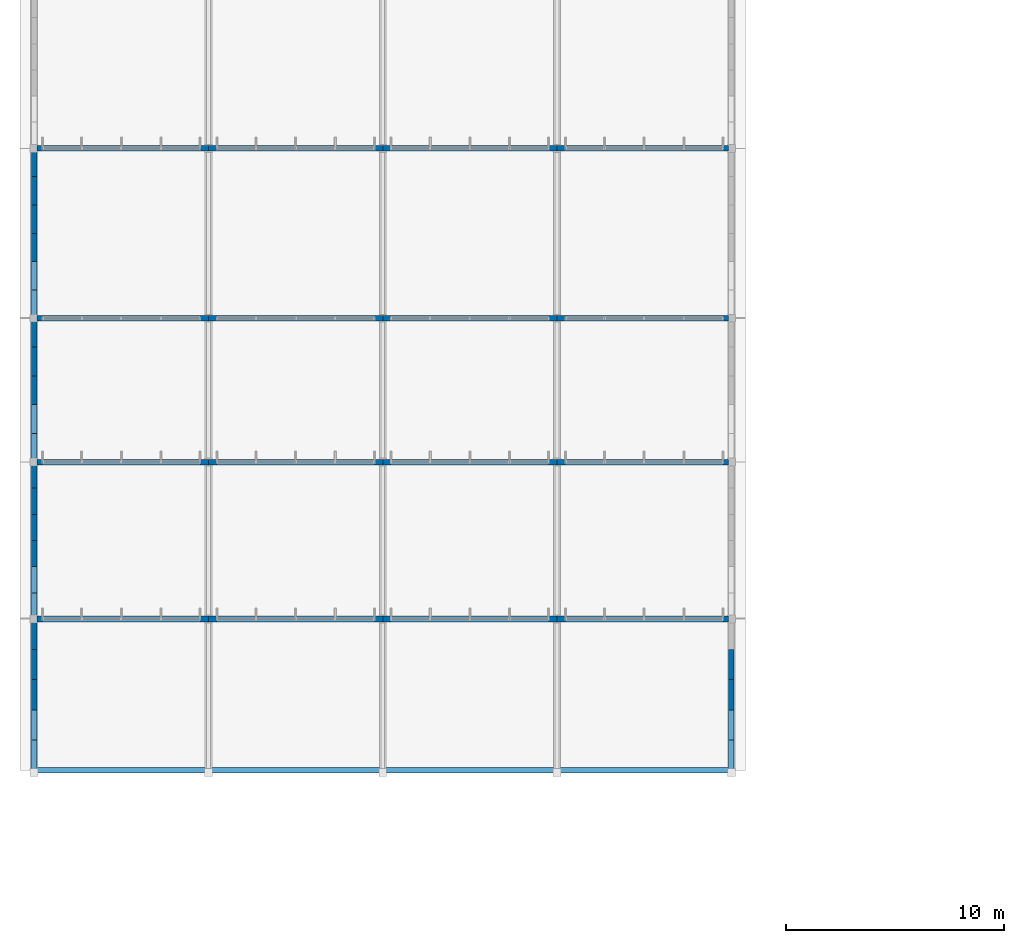
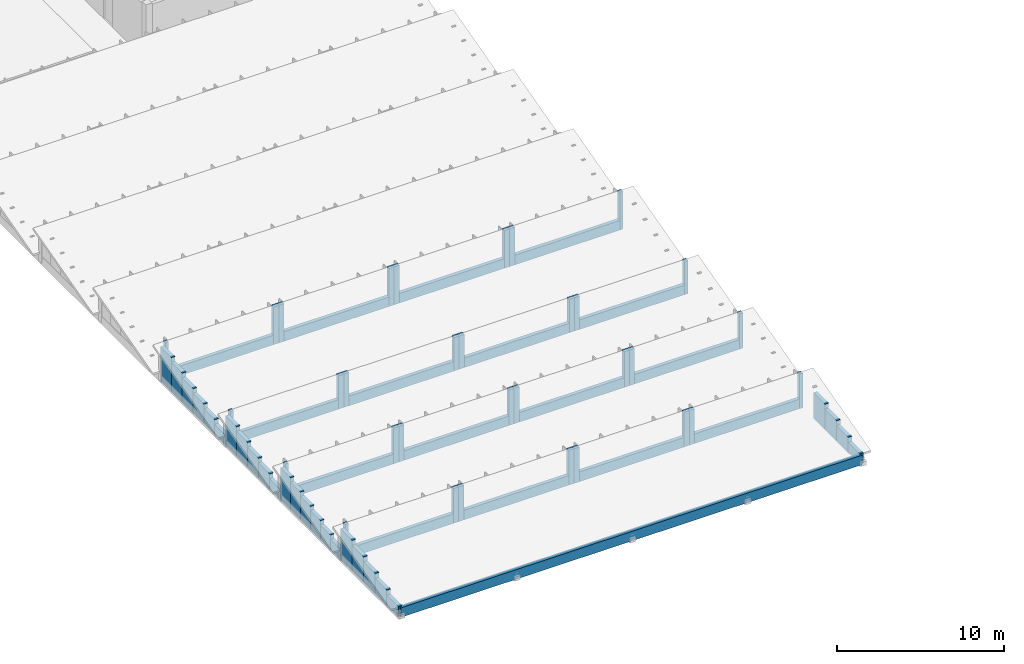
# One storey, part 80 of 94: 75 walls.
"""IFC4 building model written with IfcOpenShell, lengths in metres."""

from ifc_helpers import new_model, si_unit, direction, frame, frame_2d, origin, place, context, subcontext, project, spatial, rectangle, extrude, material, layer, layer_set, type_object, element, save


model = new_model("IFC4")

# Units and contexts
model_context = context("Model", 3, precision=1e-05, world=origin(), true_north=direction((0.0, 1.0)))
body_context = subcontext(model_context, "Body", "Model", "MODEL_VIEW")
ifc_project = project(units=[si_unit("LENGTHUNIT", "METRE"), si_unit("AREAUNIT", "SQUARE_METRE"), si_unit("VOLUMEUNIT", "CUBIC_METRE"), si_unit("PLANEANGLEUNIT", "RADIAN"), si_unit("MASSUNIT", "GRAM", prefix="KILO")], contexts=[model_context])

# Site, building, storey
site_placement = place(None, origin())
site = spatial("IfcSite", under=ifc_project, at=site_placement, CompositionType="ELEMENT")
building_placement = place(site_placement, origin())
building = spatial("IfcBuilding", under=site, at=building_placement, Name="Chiffa Square Polytechnic", CompositionType="ELEMENT")
storey_placement = place(building_placement, frame((0.0, 0.0, 18.0)))
storey = spatial("IfcBuildingStorey", under=building, at=storey_placement, Name="L04", CompositionType="ELEMENT", Elevation=18.0)

# Walls
ifc_material = material(Name="Precast concrete C40/50", Category="concrete")
ifc_layer = layer(ifc_material, 0.260009765625, Name="Precast concrete C40/50")
ifc_layer_set = layer_set([ifc_layer], Name="Precast concrete C40/50")
wall_type = type_object("IfcWallType", Name="WL-EXT-PC260", PredefinedType="SOLIDWALL", material=ifc_layer_set)
wall_1_placement = place(storey_placement, frame((0.0, 36.85009765625, 0.0), z_axis=(0.0, 0.0, 1.0), x_axis=(1.0, 0.0, 0.0)))
element("IfcWall", 1, at=wall_1_placement, inside=storey, type_object=wall_type, Name="Studio sawtooth south eave spandrel WE-V6-SAW-EAVES", PredefinedType="SOLIDWALL", context=body_context, shape_type="SweptSolid", body=[
    extrude(rectangle(XDim=32.0, YDim=0.260009765625, at=frame_2d((16.0, 0.0))), origin(), (0.0, 0.0, 1.0), 0.699951171875),
])
wall_2_placement = place(storey_placement, frame((8.0, 43.800048828125, 0.0), z_axis=(0.0, 0.0, 1.0), x_axis=(-1.0, 0.0, 0.0)))
element("IfcWall", 2, at=wall_2_placement, inside=storey, type_object=wall_type, Name="Sawtooth monitor pier WE-V6-SAW1-P1L", PredefinedType="SOLIDWALL", context=body_context, shape_type="SweptSolid", body=[
    extrude(rectangle(XDim=0.360107421875, YDim=0.260009765625, at=frame_2d((0.18017578125, 0.0))), origin(), (0.0, 0.0, 1.0), 2.5419921875),
])
wall_3_placement = place(storey_placement, frame((0.360107421875, 43.800048828125, 0.0), z_axis=(0.0, 0.0, 1.0), x_axis=(-1.0, 0.0, 0.0)))
element("IfcWall", 3, at=wall_3_placement, inside=storey, type_object=wall_type, Name="Sawtooth monitor pier WE-V6-SAW1-P1R", PredefinedType="SOLIDWALL", context=body_context, shape_type="SweptSolid", body=[
    extrude(rectangle(XDim=0.22802734375, YDim=0.260009765625, at=frame_2d((0.114013671875, 0.0))), origin(), (0.0, 0.0, 1.0), 2.5419921875),
])
wall_4_placement = place(storey_placement, frame((0.360107421875, 43.800048828125, 0.0), z_axis=(0.0, 0.0, 1.0), x_axis=(1.0, 0.0, 0.0)))
element("IfcWall", 4, at=wall_4_placement, inside=storey, type_object=wall_type, Name="Sawtooth valley spandrel WE-V6-SAW1-SP1", PredefinedType="SOLIDWALL", context=body_context, shape_type="SweptSolid", body=[
    extrude(rectangle(XDim=7.27978515625, YDim=0.260009765625, at=frame_2d((3.639892578125, 0.0))), origin(), (0.0, 0.0, 1.0), 0.699951171875),
])
for number, where, z_axis, x_axis, name in (
    (5, (16.0, 43.800048828125, 0.0), (0.0, 0.0, 1.0), (-1.0, 0.0, 0.0), "Sawtooth monitor pier WE-V6-SAW1-P2L"),
    (6, (8.360107421875, 43.800048828125, 0.0), (0.0, 0.0, 1.0), (-1.0, 0.0, 0.0), "Sawtooth monitor pier WE-V6-SAW1-P2R"),
):
    element("IfcWall", number, at=place(storey_placement, frame(where, z_axis=z_axis, x_axis=x_axis)), inside=storey, type_object=wall_type, Name=name, PredefinedType="SOLIDWALL", context=body_context, shape_type="SweptSolid", body=[
        extrude(rectangle(XDim=0.360107421875, YDim=0.260009765625, at=frame_2d((0.18017578125, 0.0))), origin(), (0.0, 0.0, 1.0), 2.5419921875),
    ])
wall_5_placement = place(storey_placement, frame((8.360107421875, 43.800048828125, 0.0), z_axis=(0.0, 0.0, 1.0), x_axis=(1.0, 0.0, 0.0)))
element("IfcWall", 7, at=wall_5_placement, inside=storey, type_object=wall_type, Name="Sawtooth valley spandrel WE-V6-SAW1-SP2", PredefinedType="SOLIDWALL", context=body_context, shape_type="SweptSolid", body=[
    extrude(rectangle(XDim=7.27978515625, YDim=0.260009765625, at=frame_2d((3.639892578125, 0.0))), origin(), (0.0, 0.0, 1.0), 0.699951171875),
])
for number, where, z_axis, x_axis, name in (
    (8, (24.0, 43.800048828125, 0.0), (0.0, 0.0, 1.0), (-1.0, 0.0, 0.0), "Sawtooth monitor pier WE-V6-SAW1-P3L"),
    (9, (16.360107421875, 43.800048828125, 0.0), (0.0, 0.0, 1.0), (-1.0, 0.0, 0.0), "Sawtooth monitor pier WE-V6-SAW1-P3R"),
):
    element("IfcWall", number, at=place(storey_placement, frame(where, z_axis=z_axis, x_axis=x_axis)), inside=storey, type_object=wall_type, Name=name, PredefinedType="SOLIDWALL", context=body_context, shape_type="SweptSolid", body=[
        extrude(rectangle(XDim=0.360107421875, YDim=0.260009765625, at=frame_2d((0.18017578125, 0.0))), origin(), (0.0, 0.0, 1.0), 2.5419921875),
    ])
wall_6_placement = place(storey_placement, frame((16.360107421875, 43.800048828125, 0.0), z_axis=(0.0, 0.0, 1.0), x_axis=(1.0, 0.0, 0.0)))
element("IfcWall", 10, at=wall_6_placement, inside=storey, type_object=wall_type, Name="Sawtooth valley spandrel WE-V6-SAW1-SP3", PredefinedType="SOLIDWALL", context=body_context, shape_type="SweptSolid", body=[
    extrude(rectangle(XDim=7.27978515625, YDim=0.260009765625, at=frame_2d((3.639892578125, 0.0))), origin(), (0.0, 0.0, 1.0), 0.699951171875),
])
wall_7_placement = place(storey_placement, frame((31.867919921875, 43.800048828125, 0.0), z_axis=(0.0, 0.0, 1.0), x_axis=(-1.0, 0.0, 0.0)))
element("IfcWall", 11, at=wall_7_placement, inside=storey, type_object=wall_type, Name="Sawtooth monitor pier WE-V6-SAW1-P4L", PredefinedType="SOLIDWALL", context=body_context, shape_type="SweptSolid", body=[
    extrude(rectangle(XDim=0.22802734375, YDim=0.260009765625, at=frame_2d((0.114013671875, 0.0))), origin(), (0.0, 0.0, 1.0), 2.5419921875),
])
wall_8_placement = place(storey_placement, frame((24.360107421875, 43.800048828125, 0.0), z_axis=(0.0, 0.0, 1.0), x_axis=(-1.0, 0.0, 0.0)))
element("IfcWall", 12, at=wall_8_placement, inside=storey, type_object=wall_type, Name="Sawtooth monitor pier WE-V6-SAW1-P4R", PredefinedType="SOLIDWALL", context=body_context, shape_type="SweptSolid", body=[
    extrude(rectangle(XDim=0.360107421875, YDim=0.260009765625, at=frame_2d((0.18017578125, 0.0))), origin(), (0.0, 0.0, 1.0), 2.5419921875),
])
wall_9_placement = place(storey_placement, frame((24.360107421875, 43.800048828125, 0.0), z_axis=(0.0, 0.0, 1.0), x_axis=(1.0, 0.0, 0.0)))
element("IfcWall", 13, at=wall_9_placement, inside=storey, type_object=wall_type, Name="Sawtooth valley spandrel WE-V6-SAW1-SP4", PredefinedType="SOLIDWALL", context=body_context, shape_type="SweptSolid", body=[
    extrude(rectangle(XDim=7.27978515625, YDim=0.260009765625, at=frame_2d((3.639892578125, 0.0))), origin(), (0.0, 0.0, 1.0), 0.699951171875),
])
wall_10_placement = place(storey_placement, frame((0.0, 36.85009765625, 0.0), z_axis=(0.0, 0.0, 1.0), x_axis=(0.0, 1.0, 0.0)))
element("IfcWall", 14, at=wall_10_placement, inside=storey, type_object=wall_type, Name="Stepped gable infill wall WE-V6-SAWW-01-01", PredefinedType="SOLIDWALL", context=body_context, shape_type="SweptSolid", body=[
    extrude(rectangle(XDim=1.389892578125, YDim=0.260009765625, at=frame_2d((0.69482421875, 0.0))), origin(), (0.0, 0.0, 1.0), 0.756103515625),
])
wall_11_placement = place(storey_placement, frame((0.0, 38.239990234375, 0.0), z_axis=(0.0, 0.0, 1.0), x_axis=(0.0, 1.0, 0.0)))
element("IfcWall", 15, at=wall_11_placement, inside=storey, type_object=wall_type, Name="Stepped gable infill wall WE-V6-SAWW-01-02", PredefinedType="SOLIDWALL", context=body_context, shape_type="SweptSolid", body=[
    extrude(rectangle(XDim=1.389892578125, YDim=0.260009765625, at=frame_2d((0.69482421875, 0.0))), origin(), (0.0, 0.0, 1.0), 1.1279296875),
])
wall_12_placement = place(storey_placement, frame((0.0, 39.6298828125, 0.0), z_axis=(0.0, 0.0, 1.0), x_axis=(0.0, 1.0, 0.0)))
element("IfcWall", 16, at=wall_12_placement, inside=storey, type_object=wall_type, Name="Stepped gable infill wall WE-V6-SAWW-01-03", PredefinedType="SOLIDWALL", context=body_context, shape_type="SweptSolid", body=[
    extrude(rectangle(XDim=1.39013671875, YDim=0.260009765625, at=frame_2d((0.695068359375, 0.0))), origin(), (0.0, 0.0, 1.0), 1.5009765625),
])
wall_13_placement = place(storey_placement, frame((0.0, 41.02001953125, 0.0), z_axis=(0.0, 0.0, 1.0), x_axis=(0.0, 1.0, 0.0)))
element("IfcWall", 17, at=wall_13_placement, inside=storey, type_object=wall_type, Name="Stepped gable infill wall WE-V6-SAWW-01-04", PredefinedType="SOLIDWALL", context=body_context, shape_type="SweptSolid", body=[
    extrude(rectangle(XDim=1.389892578125, YDim=0.260009765625, at=frame_2d((0.69482421875, 0.0))), origin(), (0.0, 0.0, 1.0), 1.873046875),
])
wall_14_placement = place(storey_placement, frame((0.0, 42.409912109375, 0.0), z_axis=(0.0, 0.0, 1.0), x_axis=(0.0, 1.0, 0.0)))
element("IfcWall", 18, at=wall_14_placement, inside=storey, type_object=wall_type, Name="Stepped gable infill wall WE-V6-SAWW-01-05", PredefinedType="SOLIDWALL", context=body_context, shape_type="SweptSolid", body=[
    extrude(rectangle(XDim=1.39013671875, YDim=0.260009765625, at=frame_2d((0.695068359375, 0.0))), origin(), (0.0, 0.0, 1.0), 2.2451171875),
])
wall_15_placement = place(storey_placement, frame((32.0, 36.85009765625, 0.0), z_axis=(0.0, 0.0, 1.0), x_axis=(0.0, 1.0, 0.0)))
element("IfcWall", 19, at=wall_15_placement, inside=storey, type_object=wall_type, Name="Stepped gable infill wall WE-V6-SAWE-01-01", PredefinedType="SOLIDWALL", context=body_context, shape_type="SweptSolid", body=[
    extrude(rectangle(XDim=1.389892578125, YDim=0.260009765625, at=frame_2d((0.69482421875, 0.0))), origin(), (0.0, 0.0, 1.0), 0.756103515625),
])
wall_16_placement = place(storey_placement, frame((32.0, 38.239990234375, 0.0), z_axis=(0.0, 0.0, 1.0), x_axis=(0.0, 1.0, 0.0)))
element("IfcWall", 20, at=wall_16_placement, inside=storey, type_object=wall_type, Name="Stepped gable infill wall WE-V6-SAWE-01-02", PredefinedType="SOLIDWALL", context=body_context, shape_type="SweptSolid", body=[
    extrude(rectangle(XDim=1.389892578125, YDim=0.260009765625, at=frame_2d((0.69482421875, 0.0))), origin(), (0.0, 0.0, 1.0), 1.1279296875),
])
wall_17_placement = place(storey_placement, frame((32.0, 39.6298828125, 0.0), z_axis=(0.0, 0.0, 1.0), x_axis=(0.0, 1.0, 0.0)))
element("IfcWall", 21, at=wall_17_placement, inside=storey, type_object=wall_type, Name="Stepped gable infill wall WE-V6-SAWE-01-03", PredefinedType="SOLIDWALL", context=body_context, shape_type="SweptSolid", body=[
    extrude(rectangle(XDim=1.39013671875, YDim=0.260009765625, at=frame_2d((0.695068359375, 0.0))), origin(), (0.0, 0.0, 1.0), 1.5009765625),
])
wall_18_placement = place(storey_placement, frame((32.0, 41.02001953125, 0.0), z_axis=(0.0, 0.0, 1.0), x_axis=(0.0, 1.0, 0.0)))
element("IfcWall", 22, at=wall_18_placement, inside=storey, type_object=wall_type, Name="Stepped gable infill wall WE-V6-SAWE-01-04", PredefinedType="SOLIDWALL", context=body_context, shape_type="SweptSolid", body=[
    extrude(rectangle(XDim=1.389892578125, YDim=0.260009765625, at=frame_2d((0.69482421875, 0.0))), origin(), (0.0, 0.0, 1.0), 1.873046875),
])
wall_19_placement = place(storey_placement, frame((8.0, 51.0, 0.0), z_axis=(0.0, 0.0, 1.0), x_axis=(-1.0, 0.0, 0.0)))
element("IfcWall", 23, at=wall_19_placement, inside=storey, type_object=wall_type, Name="Sawtooth monitor pier WE-V6-SAW2-P1L", PredefinedType="SOLIDWALL", context=body_context, shape_type="SweptSolid", body=[
    extrude(rectangle(XDim=0.360107421875, YDim=0.260009765625, at=frame_2d((0.18017578125, 0.0))), origin(), (0.0, 0.0, 1.0), 2.60888671875),
])
wall_20_placement = place(storey_placement, frame((0.360107421875, 51.0, 0.0), z_axis=(0.0, 0.0, 1.0), x_axis=(-1.0, 0.0, 0.0)))
element("IfcWall", 24, at=wall_20_placement, inside=storey, type_object=wall_type, Name="Sawtooth monitor pier WE-V6-SAW2-P1R", PredefinedType="SOLIDWALL", context=body_context, shape_type="SweptSolid", body=[
    extrude(rectangle(XDim=0.22802734375, YDim=0.260009765625, at=frame_2d((0.114013671875, 0.0))), origin(), (0.0, 0.0, 1.0), 2.60888671875),
])
wall_21_placement = place(storey_placement, frame((0.360107421875, 51.0, 0.0), z_axis=(0.0, 0.0, 1.0), x_axis=(1.0, 0.0, 0.0)))
element("IfcWall", 25, at=wall_21_placement, inside=storey, type_object=wall_type, Name="Sawtooth valley spandrel WE-V6-SAW2-SP1", PredefinedType="SOLIDWALL", context=body_context, shape_type="SweptSolid", body=[
    extrude(rectangle(XDim=7.27978515625, YDim=0.260009765625, at=frame_2d((3.639892578125, 0.0))), origin(), (0.0, 0.0, 1.0), 0.699951171875),
])
for number, where, z_axis, x_axis, name in (
    (26, (16.0, 51.0, 0.0), (0.0, 0.0, 1.0), (-1.0, 0.0, 0.0), "Sawtooth monitor pier WE-V6-SAW2-P2L"),
    (27, (8.360107421875, 51.0, 0.0), (0.0, 0.0, 1.0), (-1.0, 0.0, 0.0), "Sawtooth monitor pier WE-V6-SAW2-P2R"),
):
    element("IfcWall", number, at=place(storey_placement, frame(where, z_axis=z_axis, x_axis=x_axis)), inside=storey, type_object=wall_type, Name=name, PredefinedType="SOLIDWALL", context=body_context, shape_type="SweptSolid", body=[
        extrude(rectangle(XDim=0.360107421875, YDim=0.260009765625, at=frame_2d((0.18017578125, 0.0))), origin(), (0.0, 0.0, 1.0), 2.60888671875),
    ])
wall_22_placement = place(storey_placement, frame((8.360107421875, 51.0, 0.0), z_axis=(0.0, 0.0, 1.0), x_axis=(1.0, 0.0, 0.0)))
element("IfcWall", 28, at=wall_22_placement, inside=storey, type_object=wall_type, Name="Sawtooth valley spandrel WE-V6-SAW2-SP2", PredefinedType="SOLIDWALL", context=body_context, shape_type="SweptSolid", body=[
    extrude(rectangle(XDim=7.27978515625, YDim=0.260009765625, at=frame_2d((3.639892578125, 0.0))), origin(), (0.0, 0.0, 1.0), 0.699951171875),
])
for number, where, z_axis, x_axis, name in (
    (29, (24.0, 51.0, 0.0), (0.0, 0.0, 1.0), (-1.0, 0.0, 0.0), "Sawtooth monitor pier WE-V6-SAW2-P3L"),
    (30, (16.360107421875, 51.0, 0.0), (0.0, 0.0, 1.0), (-1.0, 0.0, 0.0), "Sawtooth monitor pier WE-V6-SAW2-P3R"),
):
    element("IfcWall", number, at=place(storey_placement, frame(where, z_axis=z_axis, x_axis=x_axis)), inside=storey, type_object=wall_type, Name=name, PredefinedType="SOLIDWALL", context=body_context, shape_type="SweptSolid", body=[
        extrude(rectangle(XDim=0.360107421875, YDim=0.260009765625, at=frame_2d((0.18017578125, 0.0))), origin(), (0.0, 0.0, 1.0), 2.60888671875),
    ])
wall_23_placement = place(storey_placement, frame((16.360107421875, 51.0, 0.0), z_axis=(0.0, 0.0, 1.0), x_axis=(1.0, 0.0, 0.0)))
element("IfcWall", 31, at=wall_23_placement, inside=storey, type_object=wall_type, Name="Sawtooth valley spandrel WE-V6-SAW2-SP3", PredefinedType="SOLIDWALL", context=body_context, shape_type="SweptSolid", body=[
    extrude(rectangle(XDim=7.27978515625, YDim=0.260009765625, at=frame_2d((3.639892578125, 0.0))), origin(), (0.0, 0.0, 1.0), 0.699951171875),
])
wall_24_placement = place(storey_placement, frame((31.867919921875, 51.0, 0.0), z_axis=(0.0, 0.0, 1.0), x_axis=(-1.0, 0.0, 0.0)))
element("IfcWall", 32, at=wall_24_placement, inside=storey, type_object=wall_type, Name="Sawtooth monitor pier WE-V6-SAW2-P4L", PredefinedType="SOLIDWALL", context=body_context, shape_type="SweptSolid", body=[
    extrude(rectangle(XDim=0.22802734375, YDim=0.260009765625, at=frame_2d((0.114013671875, 0.0))), origin(), (0.0, 0.0, 1.0), 2.60888671875),
])
wall_25_placement = place(storey_placement, frame((24.360107421875, 51.0, 0.0), z_axis=(0.0, 0.0, 1.0), x_axis=(-1.0, 0.0, 0.0)))
element("IfcWall", 33, at=wall_25_placement, inside=storey, type_object=wall_type, Name="Sawtooth monitor pier WE-V6-SAW2-P4R", PredefinedType="SOLIDWALL", context=body_context, shape_type="SweptSolid", body=[
    extrude(rectangle(XDim=0.360107421875, YDim=0.260009765625, at=frame_2d((0.18017578125, 0.0))), origin(), (0.0, 0.0, 1.0), 2.60888671875),
])
wall_26_placement = place(storey_placement, frame((24.360107421875, 51.0, 0.0), z_axis=(0.0, 0.0, 1.0), x_axis=(1.0, 0.0, 0.0)))
element("IfcWall", 34, at=wall_26_placement, inside=storey, type_object=wall_type, Name="Sawtooth valley spandrel WE-V6-SAW2-SP4", PredefinedType="SOLIDWALL", context=body_context, shape_type="SweptSolid", body=[
    extrude(rectangle(XDim=7.27978515625, YDim=0.260009765625, at=frame_2d((3.639892578125, 0.0))), origin(), (0.0, 0.0, 1.0), 0.699951171875),
])
wall_27_placement = place(storey_placement, frame((0.0, 43.800048828125, 0.0), z_axis=(0.0, 0.0, 1.0), x_axis=(0.0, 1.0, 0.0)))
element("IfcWall", 35, at=wall_27_placement, inside=storey, type_object=wall_type, Name="Stepped gable infill wall WE-V6-SAWW-02-01", PredefinedType="SOLIDWALL", context=body_context, shape_type="SweptSolid", body=[
    extrude(rectangle(XDim=1.199951171875, YDim=0.260009765625, at=frame_2d((0.60009765625, 0.0))), origin(), (0.0, 0.0, 1.0), 0.748046875),
])
wall_28_placement = place(storey_placement, frame((0.0, 45.0, 0.0), z_axis=(0.0, 0.0, 1.0), x_axis=(0.0, 1.0, 0.0)))
element("IfcWall", 36, at=wall_28_placement, inside=storey, type_object=wall_type, Name="Stepped gable infill wall WE-V6-SAWW-02-02", PredefinedType="SOLIDWALL", context=body_context, shape_type="SweptSolid", body=[
    extrude(rectangle(XDim=1.199951171875, YDim=0.260009765625, at=frame_2d((0.60009765625, 0.0))), origin(), (0.0, 0.0, 1.0), 1.070068359375),
])
wall_29_placement = place(storey_placement, frame((0.0, 46.199951171875, 0.0), z_axis=(0.0, 0.0, 1.0), x_axis=(0.0, 1.0, 0.0)))
element("IfcWall", 37, at=wall_29_placement, inside=storey, type_object=wall_type, Name="Stepped gable infill wall WE-V6-SAWW-02-03", PredefinedType="SOLIDWALL", context=body_context, shape_type="SweptSolid", body=[
    extrude(rectangle(XDim=1.199951171875, YDim=0.260009765625, at=frame_2d((0.60009765625, 0.0))), origin(), (0.0, 0.0, 1.0), 1.39111328125),
])
wall_30_placement = place(storey_placement, frame((0.0, 47.39990234375, 0.0), z_axis=(0.0, 0.0, 1.0), x_axis=(0.0, 1.0, 0.0)))
element("IfcWall", 38, at=wall_30_placement, inside=storey, type_object=wall_type, Name="Stepped gable infill wall WE-V6-SAWW-02-04", PredefinedType="SOLIDWALL", context=body_context, shape_type="SweptSolid", body=[
    extrude(rectangle(XDim=1.2001953125, YDim=0.260009765625, at=frame_2d((0.60009765625, 0.0))), origin(), (0.0, 0.0, 1.0), 1.712890625),
])
wall_31_placement = place(storey_placement, frame((0.0, 48.60009765625, 0.0), z_axis=(0.0, 0.0, 1.0), x_axis=(0.0, 1.0, 0.0)))
element("IfcWall", 39, at=wall_31_placement, inside=storey, type_object=wall_type, Name="Stepped gable infill wall WE-V6-SAWW-02-05", PredefinedType="SOLIDWALL", context=body_context, shape_type="SweptSolid", body=[
    extrude(rectangle(XDim=1.199951171875, YDim=0.260009765625, at=frame_2d((0.60009765625, 0.0))), origin(), (0.0, 0.0, 1.0), 2.033935546875),
])
wall_32_placement = place(storey_placement, frame((0.0, 49.800048828125, 0.0), z_axis=(0.0, 0.0, 1.0), x_axis=(0.0, 1.0, 0.0)))
element("IfcWall", 40, at=wall_32_placement, inside=storey, type_object=wall_type, Name="Stepped gable infill wall WE-V6-SAWW-02-06", PredefinedType="SOLIDWALL", context=body_context, shape_type="SweptSolid", body=[
    extrude(rectangle(XDim=1.199951171875, YDim=0.260009765625, at=frame_2d((0.60009765625, 0.0))), origin(), (0.0, 0.0, 1.0), 2.35595703125),
])
wall_33_placement = place(storey_placement, frame((8.0, 57.60009765625, 0.0), z_axis=(0.0, 0.0, 1.0), x_axis=(-1.0, 0.0, 0.0)))
element("IfcWall", 41, at=wall_33_placement, inside=storey, type_object=wall_type, Name="Sawtooth monitor pier WE-V6-SAW3-P1L", PredefinedType="SOLIDWALL", context=body_context, shape_type="SweptSolid", body=[
    extrude(rectangle(XDim=0.360107421875, YDim=0.260009765625, at=frame_2d((0.18017578125, 0.0))), origin(), (0.0, 0.0, 1.0), 2.447998046875),
])
wall_34_placement = place(storey_placement, frame((0.360107421875, 57.60009765625, 0.0), z_axis=(0.0, 0.0, 1.0), x_axis=(-1.0, 0.0, 0.0)))
element("IfcWall", 42, at=wall_34_placement, inside=storey, type_object=wall_type, Name="Sawtooth monitor pier WE-V6-SAW3-P1R", PredefinedType="SOLIDWALL", context=body_context, shape_type="SweptSolid", body=[
    extrude(rectangle(XDim=0.22802734375, YDim=0.260009765625, at=frame_2d((0.114013671875, 0.0))), origin(), (0.0, 0.0, 1.0), 2.447998046875),
])
wall_35_placement = place(storey_placement, frame((0.360107421875, 57.60009765625, 0.0), z_axis=(0.0, 0.0, 1.0), x_axis=(1.0, 0.0, 0.0)))
element("IfcWall", 43, at=wall_35_placement, inside=storey, type_object=wall_type, Name="Sawtooth valley spandrel WE-V6-SAW3-SP1", PredefinedType="SOLIDWALL", context=body_context, shape_type="SweptSolid", body=[
    extrude(rectangle(XDim=7.27978515625, YDim=0.260009765625, at=frame_2d((3.639892578125, 0.0))), origin(), (0.0, 0.0, 1.0), 0.699951171875),
])
for number, where, z_axis, x_axis, name in (
    (44, (16.0, 57.60009765625, 0.0), (0.0, 0.0, 1.0), (-1.0, 0.0, 0.0), "Sawtooth monitor pier WE-V6-SAW3-P2L"),
    (45, (8.360107421875, 57.60009765625, 0.0), (0.0, 0.0, 1.0), (-1.0, 0.0, 0.0), "Sawtooth monitor pier WE-V6-SAW3-P2R"),
):
    element("IfcWall", number, at=place(storey_placement, frame(where, z_axis=z_axis, x_axis=x_axis)), inside=storey, type_object=wall_type, Name=name, PredefinedType="SOLIDWALL", context=body_context, shape_type="SweptSolid", body=[
        extrude(rectangle(XDim=0.360107421875, YDim=0.260009765625, at=frame_2d((0.18017578125, 0.0))), origin(), (0.0, 0.0, 1.0), 2.447998046875),
    ])
wall_36_placement = place(storey_placement, frame((8.360107421875, 57.60009765625, 0.0), z_axis=(0.0, 0.0, 1.0), x_axis=(1.0, 0.0, 0.0)))
element("IfcWall", 46, at=wall_36_placement, inside=storey, type_object=wall_type, Name="Sawtooth valley spandrel WE-V6-SAW3-SP2", PredefinedType="SOLIDWALL", context=body_context, shape_type="SweptSolid", body=[
    extrude(rectangle(XDim=7.27978515625, YDim=0.260009765625, at=frame_2d((3.639892578125, 0.0))), origin(), (0.0, 0.0, 1.0), 0.699951171875),
])
for number, where, z_axis, x_axis, name in (
    (47, (24.0, 57.60009765625, 0.0), (0.0, 0.0, 1.0), (-1.0, 0.0, 0.0), "Sawtooth monitor pier WE-V6-SAW3-P3L"),
    (48, (16.360107421875, 57.60009765625, 0.0), (0.0, 0.0, 1.0), (-1.0, 0.0, 0.0), "Sawtooth monitor pier WE-V6-SAW3-P3R"),
):
    element("IfcWall", number, at=place(storey_placement, frame(where, z_axis=z_axis, x_axis=x_axis)), inside=storey, type_object=wall_type, Name=name, PredefinedType="SOLIDWALL", context=body_context, shape_type="SweptSolid", body=[
        extrude(rectangle(XDim=0.360107421875, YDim=0.260009765625, at=frame_2d((0.18017578125, 0.0))), origin(), (0.0, 0.0, 1.0), 2.447998046875),
    ])
wall_37_placement = place(storey_placement, frame((16.360107421875, 57.60009765625, 0.0), z_axis=(0.0, 0.0, 1.0), x_axis=(1.0, 0.0, 0.0)))
element("IfcWall", 49, at=wall_37_placement, inside=storey, type_object=wall_type, Name="Sawtooth valley spandrel WE-V6-SAW3-SP3", PredefinedType="SOLIDWALL", context=body_context, shape_type="SweptSolid", body=[
    extrude(rectangle(XDim=7.27978515625, YDim=0.260009765625, at=frame_2d((3.639892578125, 0.0))), origin(), (0.0, 0.0, 1.0), 0.699951171875),
])
wall_38_placement = place(storey_placement, frame((31.867919921875, 57.60009765625, 0.0), z_axis=(0.0, 0.0, 1.0), x_axis=(-1.0, 0.0, 0.0)))
element("IfcWall", 50, at=wall_38_placement, inside=storey, type_object=wall_type, Name="Sawtooth monitor pier WE-V6-SAW3-P4L", PredefinedType="SOLIDWALL", context=body_context, shape_type="SweptSolid", body=[
    extrude(rectangle(XDim=0.22802734375, YDim=0.260009765625, at=frame_2d((0.114013671875, 0.0))), origin(), (0.0, 0.0, 1.0), 2.447998046875),
])
wall_39_placement = place(storey_placement, frame((24.360107421875, 57.60009765625, 0.0), z_axis=(0.0, 0.0, 1.0), x_axis=(-1.0, 0.0, 0.0)))
element("IfcWall", 51, at=wall_39_placement, inside=storey, type_object=wall_type, Name="Sawtooth monitor pier WE-V6-SAW3-P4R", PredefinedType="SOLIDWALL", context=body_context, shape_type="SweptSolid", body=[
    extrude(rectangle(XDim=0.360107421875, YDim=0.260009765625, at=frame_2d((0.18017578125, 0.0))), origin(), (0.0, 0.0, 1.0), 2.447998046875),
])
wall_40_placement = place(storey_placement, frame((24.360107421875, 57.60009765625, 0.0), z_axis=(0.0, 0.0, 1.0), x_axis=(1.0, 0.0, 0.0)))
element("IfcWall", 52, at=wall_40_placement, inside=storey, type_object=wall_type, Name="Sawtooth valley spandrel WE-V6-SAW3-SP4", PredefinedType="SOLIDWALL", context=body_context, shape_type="SweptSolid", body=[
    extrude(rectangle(XDim=7.27978515625, YDim=0.260009765625, at=frame_2d((3.639892578125, 0.0))), origin(), (0.0, 0.0, 1.0), 0.699951171875),
])
wall_41_placement = place(storey_placement, frame((0.0, 51.0, 0.0), z_axis=(0.0, 0.0, 1.0), x_axis=(0.0, 1.0, 0.0)))
element("IfcWall", 53, at=wall_41_placement, inside=storey, type_object=wall_type, Name="Stepped gable infill wall WE-V6-SAWW-03-01", PredefinedType="SOLIDWALL", context=body_context, shape_type="SweptSolid", body=[
    extrude(rectangle(XDim=1.320068359375, YDim=0.260009765625, at=frame_2d((0.66015625, 0.0))), origin(), (0.0, 0.0, 1.0), 0.7529296875),
])
wall_42_placement = place(storey_placement, frame((0.0, 52.320068359375, 0.0), z_axis=(0.0, 0.0, 1.0), x_axis=(0.0, 1.0, 0.0)))
element("IfcWall", 54, at=wall_42_placement, inside=storey, type_object=wall_type, Name="Stepped gable infill wall WE-V6-SAWW-03-02", PredefinedType="SOLIDWALL", context=body_context, shape_type="SweptSolid", body=[
    extrude(rectangle(XDim=1.31982421875, YDim=0.260009765625, at=frame_2d((0.659912109375, 0.0))), origin(), (0.0, 0.0, 1.0), 1.10693359375),
])
wall_43_placement = place(storey_placement, frame((0.0, 53.639892578125, 0.0), z_axis=(0.0, 0.0, 1.0), x_axis=(0.0, 1.0, 0.0)))
element("IfcWall", 55, at=wall_43_placement, inside=storey, type_object=wall_type, Name="Stepped gable infill wall WE-V6-SAWW-03-03", PredefinedType="SOLIDWALL", context=body_context, shape_type="SweptSolid", body=[
    extrude(rectangle(XDim=1.320068359375, YDim=0.260009765625, at=frame_2d((0.66015625, 0.0))), origin(), (0.0, 0.0, 1.0), 1.4599609375),
])
wall_44_placement = place(storey_placement, frame((0.0, 54.9599609375, 0.0), z_axis=(0.0, 0.0, 1.0), x_axis=(0.0, 1.0, 0.0)))
element("IfcWall", 56, at=wall_44_placement, inside=storey, type_object=wall_type, Name="Stepped gable infill wall WE-V6-SAWW-03-04", PredefinedType="SOLIDWALL", context=body_context, shape_type="SweptSolid", body=[
    extrude(rectangle(XDim=1.320068359375, YDim=0.260009765625, at=frame_2d((0.66015625, 0.0))), origin(), (0.0, 0.0, 1.0), 1.81396484375),
])
wall_45_placement = place(storey_placement, frame((0.0, 56.280029296875, 0.0), z_axis=(0.0, 0.0, 1.0), x_axis=(0.0, 1.0, 0.0)))
element("IfcWall", 57, at=wall_45_placement, inside=storey, type_object=wall_type, Name="Stepped gable infill wall WE-V6-SAWW-03-05", PredefinedType="SOLIDWALL", context=body_context, shape_type="SweptSolid", body=[
    extrude(rectangle(XDim=1.320068359375, YDim=0.260009765625, at=frame_2d((0.66015625, 0.0))), origin(), (0.0, 0.0, 1.0), 2.1669921875),
])
wall_46_placement = place(storey_placement, frame((8.0, 65.39990234375, 0.0), z_axis=(0.0, 0.0, 1.0), x_axis=(-1.0, 0.0, 0.0)))
element("IfcWall", 58, at=wall_46_placement, inside=storey, type_object=wall_type, Name="Sawtooth monitor pier WE-V6-SAW4-P1L", PredefinedType="SOLIDWALL", context=body_context, shape_type="SweptSolid", body=[
    extrude(rectangle(XDim=0.360107421875, YDim=0.260009765625, at=frame_2d((0.18017578125, 0.0))), origin(), (0.0, 0.0, 1.0), 2.77001953125),
])
wall_47_placement = place(storey_placement, frame((0.360107421875, 65.39990234375, 0.0), z_axis=(0.0, 0.0, 1.0), x_axis=(-1.0, 0.0, 0.0)))
element("IfcWall", 59, at=wall_47_placement, inside=storey, type_object=wall_type, Name="Sawtooth monitor pier WE-V6-SAW4-P1R", PredefinedType="SOLIDWALL", context=body_context, shape_type="SweptSolid", body=[
    extrude(rectangle(XDim=0.22802734375, YDim=0.260009765625, at=frame_2d((0.114013671875, 0.0))), origin(), (0.0, 0.0, 1.0), 2.77001953125),
])
wall_48_placement = place(storey_placement, frame((0.360107421875, 65.39990234375, 0.0), z_axis=(0.0, 0.0, 1.0), x_axis=(1.0, 0.0, 0.0)))
element("IfcWall", 60, at=wall_48_placement, inside=storey, type_object=wall_type, Name="Sawtooth valley spandrel WE-V6-SAW4-SP1", PredefinedType="SOLIDWALL", context=body_context, shape_type="SweptSolid", body=[
    extrude(rectangle(XDim=7.27978515625, YDim=0.260009765625, at=frame_2d((3.639892578125, 0.0))), origin(), (0.0, 0.0, 1.0), 0.699951171875),
])
for number, where, z_axis, x_axis, name in (
    (61, (16.0, 65.39990234375, 0.0), (0.0, 0.0, 1.0), (-1.0, 0.0, 0.0), "Sawtooth monitor pier WE-V6-SAW4-P2L"),
    (62, (8.360107421875, 65.39990234375, 0.0), (0.0, 0.0, 1.0), (-1.0, 0.0, 0.0), "Sawtooth monitor pier WE-V6-SAW4-P2R"),
):
    element("IfcWall", number, at=place(storey_placement, frame(where, z_axis=z_axis, x_axis=x_axis)), inside=storey, type_object=wall_type, Name=name, PredefinedType="SOLIDWALL", context=body_context, shape_type="SweptSolid", body=[
        extrude(rectangle(XDim=0.360107421875, YDim=0.260009765625, at=frame_2d((0.18017578125, 0.0))), origin(), (0.0, 0.0, 1.0), 2.77001953125),
    ])
wall_49_placement = place(storey_placement, frame((8.360107421875, 65.39990234375, 0.0), z_axis=(0.0, 0.0, 1.0), x_axis=(1.0, 0.0, 0.0)))
element("IfcWall", 63, at=wall_49_placement, inside=storey, type_object=wall_type, Name="Sawtooth valley spandrel WE-V6-SAW4-SP2", PredefinedType="SOLIDWALL", context=body_context, shape_type="SweptSolid", body=[
    extrude(rectangle(XDim=7.27978515625, YDim=0.260009765625, at=frame_2d((3.639892578125, 0.0))), origin(), (0.0, 0.0, 1.0), 0.699951171875),
])
for number, where, z_axis, x_axis, name in (
    (64, (24.0, 65.39990234375, 0.0), (0.0, 0.0, 1.0), (-1.0, 0.0, 0.0), "Sawtooth monitor pier WE-V6-SAW4-P3L"),
    (65, (16.360107421875, 65.39990234375, 0.0), (0.0, 0.0, 1.0), (-1.0, 0.0, 0.0), "Sawtooth monitor pier WE-V6-SAW4-P3R"),
):
    element("IfcWall", number, at=place(storey_placement, frame(where, z_axis=z_axis, x_axis=x_axis)), inside=storey, type_object=wall_type, Name=name, PredefinedType="SOLIDWALL", context=body_context, shape_type="SweptSolid", body=[
        extrude(rectangle(XDim=0.360107421875, YDim=0.260009765625, at=frame_2d((0.18017578125, 0.0))), origin(), (0.0, 0.0, 1.0), 2.77001953125),
    ])
wall_50_placement = place(storey_placement, frame((16.360107421875, 65.39990234375, 0.0), z_axis=(0.0, 0.0, 1.0), x_axis=(1.0, 0.0, 0.0)))
element("IfcWall", 66, at=wall_50_placement, inside=storey, type_object=wall_type, Name="Sawtooth valley spandrel WE-V6-SAW4-SP3", PredefinedType="SOLIDWALL", context=body_context, shape_type="SweptSolid", body=[
    extrude(rectangle(XDim=7.27978515625, YDim=0.260009765625, at=frame_2d((3.639892578125, 0.0))), origin(), (0.0, 0.0, 1.0), 0.699951171875),
])
wall_51_placement = place(storey_placement, frame((31.867919921875, 65.39990234375, 0.0), z_axis=(0.0, 0.0, 1.0), x_axis=(-1.0, 0.0, 0.0)))
element("IfcWall", 67, at=wall_51_placement, inside=storey, type_object=wall_type, Name="Sawtooth monitor pier WE-V6-SAW4-P4L", PredefinedType="SOLIDWALL", context=body_context, shape_type="SweptSolid", body=[
    extrude(rectangle(XDim=0.22802734375, YDim=0.260009765625, at=frame_2d((0.114013671875, 0.0))), origin(), (0.0, 0.0, 1.0), 2.77001953125),
])
wall_52_placement = place(storey_placement, frame((24.360107421875, 65.39990234375, 0.0), z_axis=(0.0, 0.0, 1.0), x_axis=(-1.0, 0.0, 0.0)))
element("IfcWall", 68, at=wall_52_placement, inside=storey, type_object=wall_type, Name="Sawtooth monitor pier WE-V6-SAW4-P4R", PredefinedType="SOLIDWALL", context=body_context, shape_type="SweptSolid", body=[
    extrude(rectangle(XDim=0.360107421875, YDim=0.260009765625, at=frame_2d((0.18017578125, 0.0))), origin(), (0.0, 0.0, 1.0), 2.77001953125),
])
wall_53_placement = place(storey_placement, frame((24.360107421875, 65.39990234375, 0.0), z_axis=(0.0, 0.0, 1.0), x_axis=(1.0, 0.0, 0.0)))
element("IfcWall", 69, at=wall_53_placement, inside=storey, type_object=wall_type, Name="Sawtooth valley spandrel WE-V6-SAW4-SP4", PredefinedType="SOLIDWALL", context=body_context, shape_type="SweptSolid", body=[
    extrude(rectangle(XDim=7.27978515625, YDim=0.260009765625, at=frame_2d((3.639892578125, 0.0))), origin(), (0.0, 0.0, 1.0), 0.699951171875),
])
wall_54_placement = place(storey_placement, frame((0.0, 57.60009765625, 0.0), z_axis=(0.0, 0.0, 1.0), x_axis=(0.0, 1.0, 0.0)))
element("IfcWall", 70, at=wall_54_placement, inside=storey, type_object=wall_type, Name="Stepped gable infill wall WE-V6-SAWW-04-01", PredefinedType="SOLIDWALL", context=body_context, shape_type="SweptSolid", body=[
    extrude(rectangle(XDim=1.2998046875, YDim=0.260009765625, at=frame_2d((0.64990234375, 0.0))), origin(), (0.0, 0.0, 1.0), 0.751953125),
])
wall_55_placement = place(storey_placement, frame((0.0, 58.89990234375, 0.0), z_axis=(0.0, 0.0, 1.0), x_axis=(0.0, 1.0, 0.0)))
element("IfcWall", 71, at=wall_55_placement, inside=storey, type_object=wall_type, Name="Stepped gable infill wall WE-V6-SAWW-04-02", PredefinedType="SOLIDWALL", context=body_context, shape_type="SweptSolid", body=[
    extrude(rectangle(XDim=1.300048828125, YDim=0.260009765625, at=frame_2d((0.64990234375, 0.0))), origin(), (0.0, 0.0, 1.0), 1.10107421875),
])
wall_56_placement = place(storey_placement, frame((0.0, 60.199951171875, 0.0), z_axis=(0.0, 0.0, 1.0), x_axis=(0.0, 1.0, 0.0)))
element("IfcWall", 72, at=wall_56_placement, inside=storey, type_object=wall_type, Name="Stepped gable infill wall WE-V6-SAWW-04-03", PredefinedType="SOLIDWALL", context=body_context, shape_type="SweptSolid", body=[
    extrude(rectangle(XDim=1.300048828125, YDim=0.260009765625, at=frame_2d((0.64990234375, 0.0))), origin(), (0.0, 0.0, 1.0), 1.448974609375),
])
wall_57_placement = place(storey_placement, frame((0.0, 61.5, 0.0), z_axis=(0.0, 0.0, 1.0), x_axis=(0.0, 1.0, 0.0)))
element("IfcWall", 73, at=wall_57_placement, inside=storey, type_object=wall_type, Name="Stepped gable infill wall WE-V6-SAWW-04-04", PredefinedType="SOLIDWALL", context=body_context, shape_type="SweptSolid", body=[
    extrude(rectangle(XDim=1.300048828125, YDim=0.260009765625, at=frame_2d((0.64990234375, 0.0))), origin(), (0.0, 0.0, 1.0), 1.797119140625),
])
wall_58_placement = place(storey_placement, frame((0.0, 62.800048828125, 0.0), z_axis=(0.0, 0.0, 1.0), x_axis=(0.0, 1.0, 0.0)))
element("IfcWall", 74, at=wall_58_placement, inside=storey, type_object=wall_type, Name="Stepped gable infill wall WE-V6-SAWW-04-05", PredefinedType="SOLIDWALL", context=body_context, shape_type="SweptSolid", body=[
    extrude(rectangle(XDim=1.300048828125, YDim=0.260009765625, at=frame_2d((0.64990234375, 0.0))), origin(), (0.0, 0.0, 1.0), 2.14599609375),
])
wall_59_placement = place(storey_placement, frame((0.0, 64.10009765625, 0.0), z_axis=(0.0, 0.0, 1.0), x_axis=(0.0, 1.0, 0.0)))
element("IfcWall", 75, at=wall_59_placement, inside=storey, type_object=wall_type, Name="Stepped gable infill wall WE-V6-SAWW-04-06", PredefinedType="SOLIDWALL", context=body_context, shape_type="SweptSolid", body=[
    extrude(rectangle(XDim=1.2998046875, YDim=0.260009765625, at=frame_2d((0.64990234375, 0.0))), origin(), (0.0, 0.0, 1.0), 2.493896484375),
])

save(model, "model.ifc")
